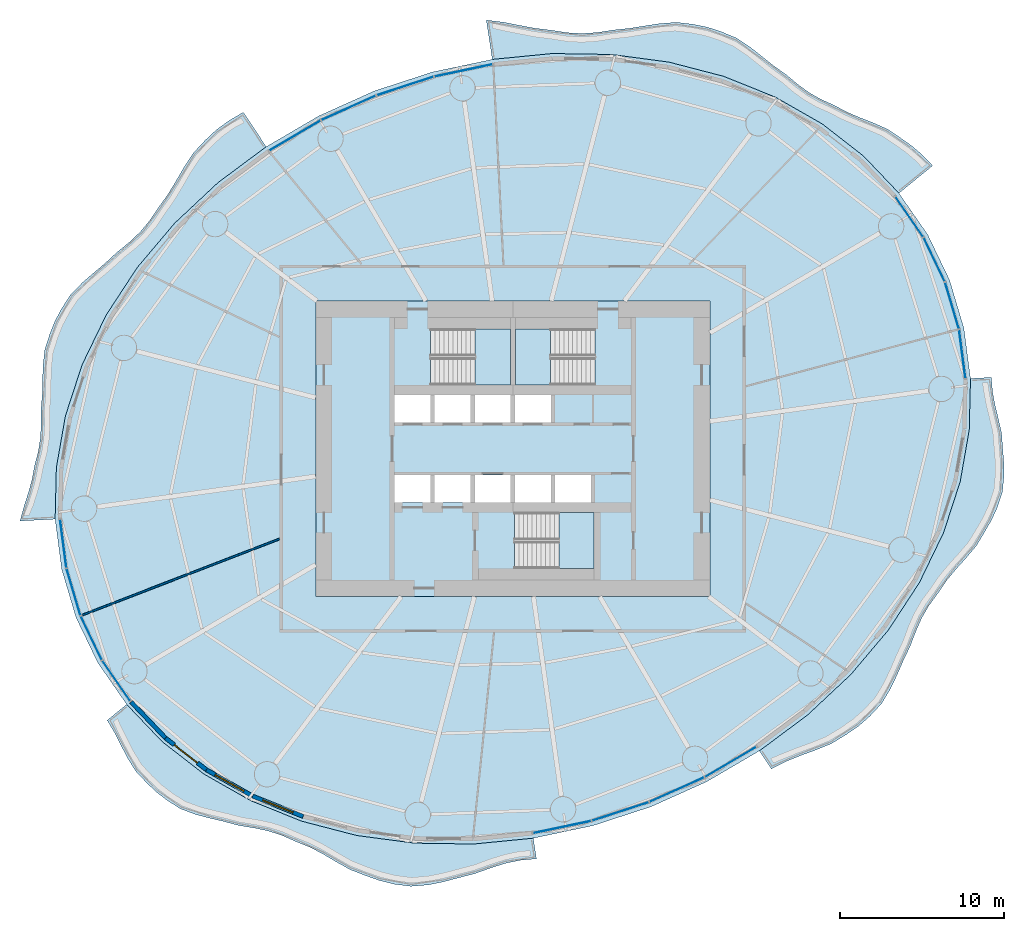
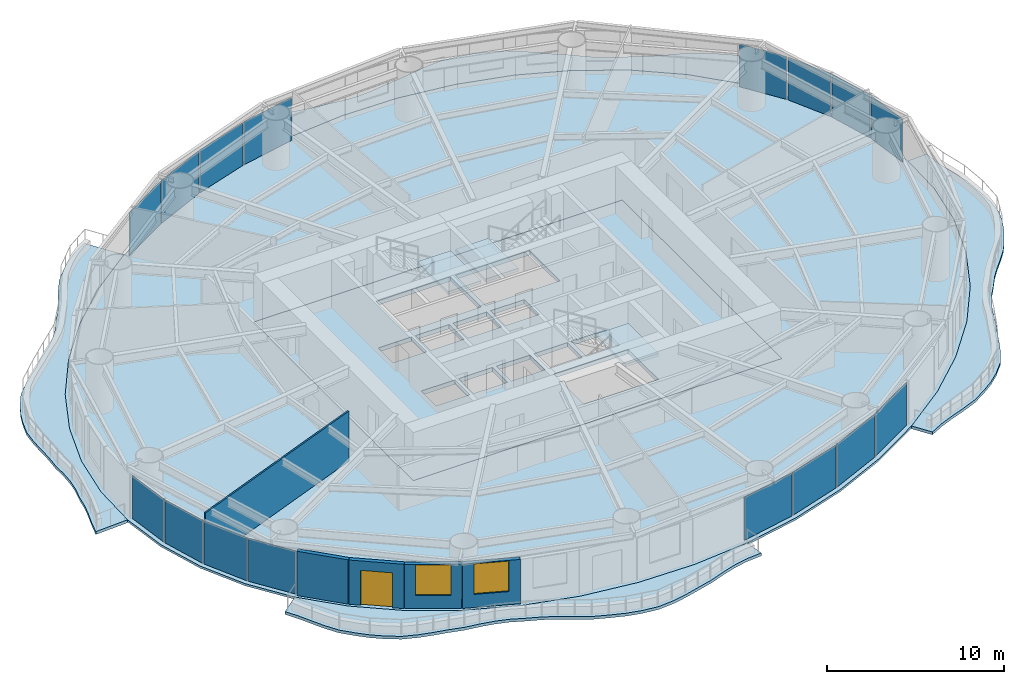
# One storey, part 7 of 14: 16 plates, 9 slabs, 5 walls, 2 windows, 1 door, 3 openings, 19 elements without a shape of their own.
"""IFC4 building model written with IfcOpenShell, lengths in metres."""

from ifc_helpers import new_model, si_unit, direction, frame, frame_2d, origin, origin_2d, place, context, subcontext, project, spatial, polyline, rectangle, outline, extrude, material, layer, layer_set, type_object, element, fill, aggregate, save


model = new_model("IFC4")

# Units and contexts
model_context = context("Model", 3, precision=1e-05, world=origin(), true_north=direction((0.0, 1.0)))
body_context = subcontext(model_context, "Body", "Model", "MODEL_VIEW")
ifc_project = project(units=[si_unit("LENGTHUNIT", "METRE"), si_unit("AREAUNIT", "SQUARE_METRE"), si_unit("VOLUMEUNIT", "CUBIC_METRE"), si_unit("PLANEANGLEUNIT", "RADIAN"), si_unit("MASSUNIT", "GRAM", prefix="KILO")], contexts=[model_context])

# Site, building, storey
site_placement = place(None, origin())
site = spatial("IfcSite", under=ifc_project, at=site_placement, CompositionType="ELEMENT")
building_placement = place(site_placement, origin())
building = spatial("IfcBuilding", under=site, at=building_placement, Name="Vermilion Reach Broadcast Tower", CompositionType="ELEMENT")
storey_placement = place(building_placement, frame((0.0, 0.0, 117.39990234375)))
storey = spatial("IfcBuildingStorey", under=building, at=storey_placement, Name="L27", CompositionType="ELEMENT", Elevation=117.39990234375)

# Slabs
ifc_material_1 = material(Name="Concrete C40/50", Category="concrete")
ifc_layer_1 = layer(ifc_material_1, 0.199951171875)
ifc_layer_set_1 = layer_set([ifc_layer_1], Name="Balcony slab 200")
slab_type_1 = type_object("IfcSlabType", Name="Balcony slab 200", PredefinedType="FLOOR", material=ifc_layer_set_1)
placement_1 = place(storey_placement, frame((0.0, 0.0, -0.199951171875)))
element("IfcSlab", 1, at=placement_1, inside=storey, type_object=slab_type_1, Name="Balcony slab L27 group 1", PredefinedType="FLOOR", context=body_context, shape_type="SweptSolid", body=[
    extrude(outline(polyline([(17.51416015625, 15.56591796875), (15.35302734375, 17.833984375), (12.826171875, 19.796630859375), (9.9775390625, 21.420654296875), (6.85546875, 22.677978515625), (3.51318359375, 23.547607421875), (0.00830078125, 24.01416015625), (-3.599365234375, 24.06982421875), (-7.248046875, 23.713623046875), (-7.6162109375, 26.11328125), (-6.54833984375, 25.978271484375), (-5.609375, 25.79345703125), (-4.671142578125, 25.61474609375), (-3.65771484375, 25.4921875), (-2.677490234375, 25.341552734375), (-1.776123046875, 25.29345703125), (-0.873046875, 25.352294921875), (0.11865234375, 25.50537109375), (1.1123046875, 25.608154296875), (2.023681640625, 25.755126953125), (2.93408203125, 25.89599609375), (3.98828125, 25.97314453125), (5.00439453125, 25.8505859375), (5.8515625, 25.67724609375), (6.673828125, 25.4091796875), (7.625732421875, 25.01318359375), (8.474853515625, 24.447021484375), (9.1630859375, 23.903076171875), (9.8486328125, 23.353271484375), (10.639892578125, 22.790283203125), (11.359619140625, 22.189697265625), (12.027099609375, 21.70556640625), (12.738037109375, 21.297119140625), (13.5751953125, 20.9169921875), (14.378662109375, 20.4912109375), (15.139404296875, 20.166748046875), (15.91796875, 19.865234375), (16.82568359375, 19.463134765625), (17.628173828125, 18.92041015625), (18.280517578125, 18.460205078125), (18.882568359375, 17.951904296875), (19.568359375, 17.240966796875), (17.51416015625, 15.56591796875)])), origin(), (0.0, 0.0, 1.0), 0.199951171875),
])
element("IfcSlab", 2, at=placement_1, inside=storey, type_object=slab_type_1, Name="Balcony slab L27 group 2", PredefinedType="FLOOR", context=body_context, shape_type="SweptSolid", body=[
    extrude(outline(polyline([(-21.01708984375, 18.39501953125), (-23.957763671875, 16.205810546875), (-26.59130859375, 13.739501953125), (-28.87255859375, 11.037841796875), (-30.76220703125, 8.1474609375), (-32.228515625, 5.11767578125), (-33.245849609375, 2.00048828125), (-33.796875, -1.151123046875), (-33.87255859375, -4.282958984375), (-36.010986328125, -4.39697265625), (-35.751220703125, -3.454345703125), (-35.50146484375, -2.677001953125), (-35.284423828125, -1.898681640625), (-35.12060546875, -1.020263671875), (-34.8955078125, -0.14697265625), (-34.770263671875, 0.64306640625), (-34.725830078125, 1.447265625), (-34.732666015625, 2.37109375), (-34.65576171875, 3.322998046875), (-34.63671875, 4.178955078125), (-34.612060546875, 5.033203125), (-34.5009765625, 6.033447265625), (-34.192626953125, 7.003173828125), (-33.8798828125, 7.78662109375), (-33.483154296875, 8.529296875), (-32.936767578125, 9.3779296875), (-32.208984375, 10.124755859375), (-31.5283203125, 10.71142578125), (-30.8369140625, 11.290771484375), (-30.11328125, 11.9619140625), (-29.3408203125, 12.59033203125), (-28.69580078125, 13.202392578125), (-28.1279296875, 13.8798828125), (-27.585205078125, 14.68359375), (-27.0009765625, 15.496337890625), (-26.515625, 16.2978515625), (-26.04443359375, 17.114013671875), (-25.462158203125, 18.00537109375), (-24.7373046875, 18.787841796875), (-24.063232421875, 19.417236328125), (-23.324462890625, 19.95947265625), (-22.41015625, 20.497802734375), (-21.01708984375, 18.39501953125)])), origin(), (0.0, 0.0, 1.0), 0.199951171875),
])
element("IfcSlab", 3, at=placement_1, inside=storey, type_object=slab_type_1, Name="Balcony slab L27 group 3", PredefinedType="FLOOR", context=body_context, shape_type="SweptSolid", body=[
    extrude(outline(polyline([(-29.51416015625, -15.56591796875), (-27.35302734375, -17.833984375), (-24.826171875, -19.796630859375), (-21.9775390625, -21.420654296875), (-18.85546875, -22.677978515625), (-15.51318359375, -23.547607421875), (-12.00830078125, -24.01416015625), (-8.400634765625, -24.06982421875), (-4.751953125, -23.713623046875), (-4.55908203125, -24.97021484375), (-5.541748046875, -25.055908203125), (-6.4443359375, -25.2431640625), (-7.337890625, -25.5234375), (-8.32666015625, -25.87646484375), (-9.334716796875, -26.134521484375), (-10.240478515625, -26.374755859375), (-11.1455078125, -26.55615234375), (-12.203125, -26.646728515625), (-13.232666015625, -26.512939453125), (-14.095947265625, -26.299072265625), (-14.94775390625, -25.999267578125), (-15.919921875, -25.623291015625), (-16.814453125, -25.1201171875), (-17.587646484375, -24.662841796875), (-18.373046875, -24.2529296875), (-19.25732421875, -23.896728515625), (-20.103515625, -23.52490234375), (-20.907958984375, -23.27001953125), (-21.744140625, -23.09375), (-22.7099609375, -22.934814453125), (-23.64111328125, -22.68359375), (-24.4755859375, -22.491943359375), (-25.29638671875, -22.2763671875), (-26.24755859375, -21.922607421875), (-27.075927734375, -21.388671875), (-27.7099609375, -20.901123046875), (-28.292724609375, -20.347412109375), (-28.97216796875, -19.62548828125), (-29.489013671875, -18.78759765625), (-29.8603515625, -18.059814453125), (-30.230224609375, -17.330078125), (-30.69921875, -16.5322265625), (-29.51416015625, -15.56591796875)])), origin(), (0.0, 0.0, 1.0), 0.199951171875),
])
element("IfcSlab", 4, at=placement_1, inside=storey, type_object=slab_type_1, Name="Balcony slab L27 group 4", PredefinedType="FLOOR", context=body_context, shape_type="SweptSolid", body=[
    extrude(outline(polyline([(9.01708984375, -18.39501953125), (11.957763671875, -16.205810546875), (14.59130859375, -13.739501953125), (16.87255859375, -11.037841796875), (18.76220703125, -8.1474609375), (20.228515625, -5.11767578125), (21.245849609375, -2.00048828125), (21.796875, 1.151123046875), (21.87255859375, 4.282958984375), (23.14453125, 4.350830078125), (23.218017578125, 3.46728515625), (23.36181640625, 2.68017578125), (23.55419921875, 1.892333984375), (23.767578125, 0.956298828125), (23.838623046875, -0.017822265625), (23.90380859375, -0.84130859375), (23.913330078125, -1.655029296875), (23.817138671875, -2.641357421875), (23.494873046875, -3.5966796875), (23.14892578125, -4.34619140625), (22.732421875, -5.072509765625), (22.220703125, -5.920654296875), (21.56201171875, -6.69775390625), (20.973876953125, -7.34814453125), (20.422607421875, -8.01611328125), (19.896484375, -8.7890625), (19.336181640625, -9.55419921875), (18.90380859375, -10.302978515625), (18.5478515625, -11.101806640625), (18.197021484375, -12.0244140625), (17.76025390625, -12.9443359375), (17.39306640625, -13.791259765625), (17.000732421875, -14.616943359375), (16.460205078125, -15.514404296875), (15.742919921875, -16.28857421875), (15.062744140625, -16.8818359375), (14.31298828125, -17.40087890625), (13.4140625, -17.947998046875), (12.416259765625, -18.356689453125), (11.5166015625, -18.6826171875), (10.637939453125, -19.03759765625), (9.74560546875, -19.49462890625), (9.01708984375, -18.39501953125)])), origin(), (0.0, 0.0, 1.0), 0.199951171875),
])
ifc_material_2 = material(Name="Concrete C40", Category="concrete")
ifc_layer_2 = layer(ifc_material_2, 0.300048828125)
ifc_layer_set_2 = layer_set([ifc_layer_2], Name="Core floor slab 300 mm Concrete C40")
slab_type_2 = type_object("IfcSlabType", Name="Core floor slab 300 mm Concrete C40", PredefinedType="FLOOR", material=ifc_layer_set_2)
slab_5_placement = place(storey_placement, frame((0.0, 0.0, -0.2998046875)))
element("IfcSlab", 5, at=slab_5_placement, inside=storey, type_object=slab_type_2, Name="L27 core floor", PredefinedType="FLOOR", context=body_context, shape_type="SweptSolid", body=[
    extrude(outline(polyline([(-18.0, -9.0), (6.0, -9.0), (6.0, 9.0), (-18.0, 9.0), (-18.0, -9.0)]), holes=[polyline([(-13.199951171875, 1.60009765625), (-11.00830078125, 1.60009765625), (-11.00830078125, 3.280029296875), (-13.199951171875, 3.280029296875), (-13.199951171875, 1.60009765625)]), polyline([(-10.75830078125, 1.60009765625), (-8.566650390625, 1.60009765625), (-8.566650390625, 3.280029296875), (-10.75830078125, 3.280029296875), (-10.75830078125, 1.60009765625)]), polyline([(-8.316650390625, 1.60009765625), (-6.125, 1.60009765625), (-6.125, 3.280029296875), (-8.316650390625, 3.280029296875), (-8.316650390625, 1.60009765625)]), polyline([(-5.875, 1.60009765625), (-3.683349609375, 1.60009765625), (-3.683349609375, 3.280029296875), (-5.875, 3.280029296875), (-5.875, 1.60009765625)]), polyline([(-13.199951171875, -3.280029296875), (-11.00830078125, -3.280029296875), (-11.00830078125, -1.60009765625), (-13.199951171875, -1.60009765625), (-13.199951171875, -3.280029296875)]), polyline([(-10.75830078125, -3.280029296875), (-8.566650390625, -3.280029296875), (-8.566650390625, -1.60009765625), (-10.75830078125, -1.60009765625), (-10.75830078125, -3.280029296875)]), polyline([(-8.316650390625, -3.280029296875), (-6.125, -3.280029296875), (-6.125, -1.60009765625), (-8.316650390625, -1.60009765625), (-8.316650390625, -3.280029296875)]), polyline([(-5.875, -3.280029296875), (-3.683349609375, -3.280029296875), (-3.683349609375, -1.60009765625), (-5.875, -1.60009765625), (-5.875, -3.280029296875)]), polyline([(-3.433349609375, -3.280029296875), (-1.24169921875, -3.280029296875), (-1.24169921875, -1.60009765625), (-3.433349609375, -1.60009765625), (-3.433349609375, -3.280029296875)]), polyline([(-10.999267578125, 3.8798828125), (-6.14990234375, 3.8798828125), (-6.14990234375, 7.300048828125), (-10.999267578125, 7.300048828125), (-10.999267578125, 3.8798828125)]), polyline([(-1.000732421875, 7.300048828125), (-5.85009765625, 7.300048828125), (-5.85009765625, 3.8798828125), (-1.000732421875, 3.8798828125), (-1.000732421875, 7.300048828125)]), polyline([(-5.8994140625, -7.300048828125), (-1.050048828125, -7.300048828125), (-1.050048828125, -3.8798828125), (-5.8994140625, -3.8798828125), (-5.8994140625, -7.300048828125)])]), origin(), (0.0, 0.0, 1.0), 0.2998046875),
])

# Stair, slab
ifc_material_3 = material(Name="Concrete C40", Category="concrete")
stair_type = type_object("IfcStairType", Name="Exit stair RC 22 risers 164 mm", PredefinedType="HALF_TURN_STAIR", material=ifc_material_3)
placement_2 = place(storey_placement, origin())
stair_1 = element("IfcStair", 6, at=placement_2, inside=storey, type_object=stair_type, Name="L27 Exit stair ST1", PredefinedType="HALF_TURN_STAIR")
ifc_material_4 = material(Name="Concrete C40", Category="concrete")
ifc_layer_3 = layer(ifc_material_4, 0.199951171875)
ifc_layer_set_3 = layer_set([ifc_layer_3], Name="Exit stair landing Concrete C40")
slab_type_3 = type_object("IfcSlabType", Name="Exit stair landing Concrete C40", PredefinedType="LANDING", material=ifc_layer_set_3)
placement_3 = place(storey_placement, frame((0.0, 0.0, 1.60009765625)))
slab_6 = element("IfcSlab", 7, at=placement_3, type_object=slab_type_3, Name="ST1 landing 1", PredefinedType="LANDING", context=body_context, shape_type="SweptSolid", body=[
    extrude(outline(polyline([(-8.300048828125, 3.8798828125), (-6.14990234375, 3.8798828125), (-6.14990234375, 7.300048828125), (-8.300048828125, 7.300048828125), (-8.300048828125, 3.8798828125)])), origin(), (0.0, 0.0, 1.0), 0.199951171875),
])
aggregate(stair_1, [slab_6])

stair_2 = element("IfcStair", 8, at=placement_2, inside=storey, type_object=stair_type, Name="L27 Exit stair ST2", PredefinedType="HALF_TURN_STAIR")
slab_7 = element("IfcSlab", 9, at=placement_3, type_object=slab_type_3, Name="ST2 landing 1", PredefinedType="LANDING", context=body_context, shape_type="SweptSolid", body=[
    extrude(outline(polyline([(-3.699951171875, 7.300048828125), (-5.85009765625, 7.300048828125), (-5.85009765625, 3.8798828125), (-3.699951171875, 3.8798828125), (-3.699951171875, 7.300048828125)])), origin(), (0.0, 0.0, 1.0), 0.199951171875),
])
aggregate(stair_2, [slab_7])

stair_3 = element("IfcStair", 10, at=placement_2, inside=storey, type_object=stair_type, Name="L27 Exit stair ST3", PredefinedType="HALF_TURN_STAIR")
slab_8 = element("IfcSlab", 11, at=placement_3, type_object=slab_type_3, Name="ST3 landing 1", PredefinedType="LANDING", context=body_context, shape_type="SweptSolid", body=[
    extrude(outline(polyline([(-3.199951171875, -7.300048828125), (-1.050048828125, -7.300048828125), (-1.050048828125, -3.8798828125), (-3.199951171875, -3.8798828125), (-3.199951171875, -7.300048828125)])), origin(), (0.0, 0.0, 1.0), 0.199951171875),
])
aggregate(stair_3, [slab_8])

# Slab
ifc_material_5 = material(Name="Concrete C40", Category="concrete")
ifc_layer_4 = layer(ifc_material_5, 0.14990234375)
ifc_layer_set_4 = layer_set([ifc_layer_4], Name="Floor slab Concrete C40 composite 150")
slab_type_4 = type_object("IfcSlabType", Name="Floor slab Concrete C40 composite 150", PredefinedType="FLOOR", material=ifc_layer_set_4)
slab_9_placement = place(storey_placement, frame((0.0, 0.0, -0.14990234375)))
element("IfcSlab", 12, at=slab_9_placement, inside=storey, type_object=slab_type_4, Name="Floor slab L27", PredefinedType="FLOOR", context=body_context, shape_type="SweptSolid", body=[
    extrude(outline(polyline([(20.599609375, 10.274658203125), (19.273193359375, 13.03173828125), (17.51416015625, 15.56591796875), (15.35302734375, 17.833984375), (12.826171875, 19.796630859375), (9.9775390625, 21.420654296875), (6.85546875, 22.677978515625), (3.51318359375, 23.547607421875), (0.00830078125, 24.01416015625), (-3.599365234375, 24.06982421875), (-7.248046875, 23.713623046875), (-10.87548828125, 22.95166015625), (-14.41943359375, 21.796875), (-17.8193359375, 20.269287109375), (-21.01708984375, 18.39501953125), (-23.957763671875, 16.205810546875), (-26.59130859375, 13.739501953125), (-28.87255859375, 11.037841796875), (-30.76220703125, 8.1474609375), (-32.228515625, 5.11767578125), (-33.245849609375, 2.00048828125), (-33.796875, -1.151123046875), (-33.87255859375, -4.282958984375), (-33.47119140625, -7.341552734375), (-32.599609375, -10.274658203125), (-31.273193359375, -13.03173828125), (-29.51416015625, -15.56591796875), (-27.35302734375, -17.833984375), (-24.826171875, -19.796630859375), (-21.9775390625, -21.420654296875), (-18.85546875, -22.677978515625), (-15.51318359375, -23.547607421875), (-12.00830078125, -24.01416015625), (-8.400634765625, -24.06982421875), (-4.751953125, -23.713623046875), (-1.12451171875, -22.95166015625), (2.41943359375, -21.796875), (5.8193359375, -20.269287109375), (9.01708984375, -18.39501953125), (11.957763671875, -16.205810546875), (14.59130859375, -13.739501953125), (16.87255859375, -11.037841796875), (18.76220703125, -8.1474609375), (20.228515625, -5.11767578125), (21.245849609375, -2.00048828125), (21.796875, 1.151123046875), (21.87255859375, 4.282958984375), (21.47119140625, 7.341552734375), (20.599609375, 10.274658203125)]), holes=[polyline([(-18.0, -9.0), (6.0, -9.0), (6.0, 9.0), (-18.0, 9.0), (-18.0, -9.0)])]), origin(), (0.0, 0.0, 1.0), 0.14990234375),
])

# Curtain wall, plate
ifc_material_6 = material(Name="Low-e laminated clear glass in aluminium frame", Category="aluminium")
curtain_wall_type = type_object("IfcCurtainWallType", Name="Slot curtain wall", PredefinedType="NOTDEFINED", material=ifc_material_6)
curtain_wall_1 = element("IfcCurtainWall", 13, at=placement_2, inside=storey, type_object=curtain_wall_type, Name="Slot curtain wall L27 46", PredefinedType="NOTDEFINED")
ifc_material_7 = material(Name="Low-e laminated clear glass", Category="glass")
ifc_layer_5 = layer(ifc_material_7, 0.028076171875)
ifc_layer_set_5 = layer_set([ifc_layer_5], Name="Slot glass panel")
plate_type = type_object("IfcPlateType", Name="Slot glass panel", PredefinedType="CURTAIN_PANEL", material=ifc_layer_set_5)
plate_1_placement = place(storey_placement, frame((21.375244140625, 5.773193359375, 0.0), z_axis=(0.0, 0.0, 1.0), x_axis=(-0.130101693135, 0.991500655291, 0.0)))
plate_1 = element("IfcPlate", 14, at=plate_1_placement, type_object=plate_type, Name="Slot glass panel L27 46", PredefinedType="CURTAIN_PANEL", context=body_context, shape_type="SweptSolid", body=[
    extrude(rectangle(XDim=2.957763671875, YDim=0.028076171875, at=origin_2d()), origin(), (0.0, 0.0, 1.0), 2.949951171875),
])
aggregate(curtain_wall_1, [plate_1])

curtain_wall_2 = element("IfcCurtainWall", 15, at=placement_2, inside=storey, type_object=curtain_wall_type, Name="Slot curtain wall L27 47", PredefinedType="NOTDEFINED")
plate_2_placement = place(storey_placement, frame((20.748779296875, 8.722900390625, 0.0), z_axis=(0.0, 0.0, 1.0), x_axis=(-0.284798092329, 0.958587526836, 0.0)))
plate_2 = element("IfcPlate", 16, at=plate_2_placement, type_object=plate_type, Name="Slot glass panel L27 47", PredefinedType="CURTAIN_PANEL", context=body_context, shape_type="SweptSolid", body=[
    extrude(rectangle(XDim=2.931884765625, YDim=0.028076171875, at=origin_2d()), origin(), (0.0, 0.0, 1.0), 2.949951171875),
])
aggregate(curtain_wall_2, [plate_2])

curtain_wall_3 = element("IfcCurtainWall", 17, at=placement_2, inside=storey, type_object=curtain_wall_type, Name="Slot curtain wall L27 00", PredefinedType="NOTDEFINED")
plate_3_placement = place(storey_placement, frame((19.6669921875, 11.523681640625, 0.0), z_axis=(0.0, 0.0, 1.0), x_axis=(-0.433552571253, 0.901128274975, 0.0)))
plate_3 = element("IfcPlate", 18, at=plate_3_placement, type_object=plate_type, Name="Slot glass panel L27 00", PredefinedType="CURTAIN_PANEL", context=body_context, shape_type="SweptSolid", body=[
    extrude(rectangle(XDim=2.931884765625, YDim=0.028076171875, at=origin_2d()), origin(), (0.0, 0.0, 1.0), 2.949951171875),
])
aggregate(curtain_wall_3, [plate_3])

curtain_wall_4 = element("IfcCurtainWall", 19, at=placement_2, inside=storey, type_object=curtain_wall_type, Name="Slot curtain wall L27 01", PredefinedType="NOTDEFINED")
plate_4_placement = place(storey_placement, frame((18.14794921875, 14.12841796875, 0.0), z_axis=(0.0, 0.0, 1.0), x_axis=(-0.57020505727, 0.82150239967, 0.0)))
plate_4 = element("IfcPlate", 20, at=plate_4_placement, type_object=plate_type, Name="Slot glass panel L27 01", PredefinedType="CURTAIN_PANEL", context=body_context, shape_type="SweptSolid", body=[
    extrude(rectangle(XDim=2.957763671875, YDim=0.028076171875, at=origin_2d()), origin(), (0.0, 0.0, 1.0), 2.949951171875),
])
aggregate(curtain_wall_4, [plate_4])

curtain_wall_5 = element("IfcCurtainWall", 21, at=placement_2, inside=storey, type_object=curtain_wall_type, Name="Slot curtain wall L27 10", PredefinedType="NOTDEFINED")
plate_5_placement = place(storey_placement, frame((-9.000244140625, 23.039306640625, 0.0), z_axis=(0.0, 0.0, 1.0), x_axis=(-0.97864385995, -0.205563117759, 0.0)))
plate_5 = element("IfcPlate", 22, at=plate_5_placement, type_object=plate_type, Name="Slot glass panel L27 10", PredefinedType="CURTAIN_PANEL", context=body_context, shape_type="SweptSolid", body=[
    extrude(rectangle(XDim=3.593994140625, YDim=0.028076171875, at=origin_2d()), origin(), (0.0, 0.0, 1.0), 2.949951171875),
])
aggregate(curtain_wall_5, [plate_5])

curtain_wall_6 = element("IfcCurtainWall", 23, at=placement_2, inside=storey, type_object=curtain_wall_type, Name="Slot curtain wall L27 11", PredefinedType="NOTDEFINED")
plate_6_placement = place(storey_placement, frame((-12.5546875, 22.08935546875, 0.0), z_axis=(0.0, 0.0, 1.0), x_axis=(-0.95080983606, -0.30977516952, 0.0)))
plate_6 = element("IfcPlate", 24, at=plate_6_placement, type_object=plate_type, Name="Slot glass panel L27 11", PredefinedType="CURTAIN_PANEL", context=body_context, shape_type="SweptSolid", body=[
    extrude(rectangle(XDim=3.614990234375, YDim=0.028076171875, at=origin_2d()), origin(), (0.0, 0.0, 1.0), 2.949951171875),
])
aggregate(curtain_wall_6, [plate_6])

curtain_wall_7 = element("IfcCurtainWall", 25, at=placement_2, inside=storey, type_object=curtain_wall_type, Name="Slot curtain wall L27 12", PredefinedType="NOTDEFINED")
plate_7_placement = place(storey_placement, frame((-15.99658203125, 20.760009765625, 0.0), z_axis=(0.0, 0.0, 1.0), x_axis=(-0.912160828442, -0.409832432899, 0.0)))
plate_7 = element("IfcPlate", 26, at=plate_7_placement, type_object=plate_type, Name="Slot glass panel L27 12", PredefinedType="CURTAIN_PANEL", context=body_context, shape_type="SweptSolid", body=[
    extrude(rectangle(XDim=3.615234375, YDim=0.028076171875, at=origin_2d()), origin(), (0.0, 0.0, 1.0), 2.949951171875),
])
aggregate(curtain_wall_7, [plate_7])

curtain_wall_8 = element("IfcCurtainWall", 27, at=placement_2, inside=storey, type_object=curtain_wall_type, Name="Slot curtain wall L27 13", PredefinedType="NOTDEFINED")
plate_8_placement = place(storey_placement, frame((-19.266845703125, 19.07373046875, 0.0), z_axis=(0.0, 0.0, 1.0), x_axis=(-0.862711834794, -0.505695847429, 0.0)))
plate_8 = element("IfcPlate", 28, at=plate_8_placement, type_object=plate_type, Name="Slot glass panel L27 13", PredefinedType="CURTAIN_PANEL", context=body_context, shape_type="SweptSolid", body=[
    extrude(rectangle(XDim=3.593994140625, YDim=0.028076171875, at=origin_2d()), origin(), (0.0, 0.0, 1.0), 2.949951171875),
])
aggregate(curtain_wall_8, [plate_8])

curtain_wall_9 = element("IfcCurtainWall", 29, at=placement_2, inside=storey, type_object=curtain_wall_type, Name="Slot curtain wall L27 22", PredefinedType="NOTDEFINED")
plate_9_placement = place(storey_placement, frame((-33.375244140625, -5.773193359375, 0.0), z_axis=(0.0, 0.0, 1.0), x_axis=(0.130101693135, -0.991500655291, 0.0)))
plate_9 = element("IfcPlate", 30, at=plate_9_placement, type_object=plate_type, Name="Slot glass panel L27 22", PredefinedType="CURTAIN_PANEL", context=body_context, shape_type="SweptSolid", body=[
    extrude(rectangle(XDim=2.957763671875, YDim=0.028076171875, at=origin_2d()), origin(), (0.0, 0.0, 1.0), 2.949951171875),
])
aggregate(curtain_wall_9, [plate_9])

curtain_wall_10 = element("IfcCurtainWall", 31, at=placement_2, inside=storey, type_object=curtain_wall_type, Name="Slot curtain wall L27 23", PredefinedType="NOTDEFINED")
plate_10_placement = place(storey_placement, frame((-32.748779296875, -8.722900390625, 0.0), z_axis=(0.0, 0.0, 1.0), x_axis=(0.284798092329, -0.958587526836, 0.0)))
plate_10 = element("IfcPlate", 32, at=plate_10_placement, type_object=plate_type, Name="Slot glass panel L27 23", PredefinedType="CURTAIN_PANEL", context=body_context, shape_type="SweptSolid", body=[
    extrude(rectangle(XDim=2.931884765625, YDim=0.028076171875, at=origin_2d()), origin(), (0.0, 0.0, 1.0), 2.949951171875),
])
aggregate(curtain_wall_10, [plate_10])

curtain_wall_11 = element("IfcCurtainWall", 33, at=placement_2, inside=storey, type_object=curtain_wall_type, Name="Slot curtain wall L27 24", PredefinedType="NOTDEFINED")
plate_11_placement = place(storey_placement, frame((-31.6669921875, -11.523681640625, 0.0), z_axis=(0.0, 0.0, 1.0), x_axis=(0.433552571253, -0.901128274975, 0.0)))
plate_11 = element("IfcPlate", 34, at=plate_11_placement, type_object=plate_type, Name="Slot glass panel L27 24", PredefinedType="CURTAIN_PANEL", context=body_context, shape_type="SweptSolid", body=[
    extrude(rectangle(XDim=2.931884765625, YDim=0.028076171875, at=origin_2d()), origin(), (0.0, 0.0, 1.0), 2.949951171875),
])
aggregate(curtain_wall_11, [plate_11])

curtain_wall_12 = element("IfcCurtainWall", 35, at=placement_2, inside=storey, type_object=curtain_wall_type, Name="Slot curtain wall L27 25", PredefinedType="NOTDEFINED")
plate_12_placement = place(storey_placement, frame((-30.14794921875, -14.12841796875, 0.0), z_axis=(0.0, 0.0, 1.0), x_axis=(0.57020505727, -0.82150239967, 0.0)))
plate_12 = element("IfcPlate", 36, at=plate_12_placement, type_object=plate_type, Name="Slot glass panel L27 25", PredefinedType="CURTAIN_PANEL", context=body_context, shape_type="SweptSolid", body=[
    extrude(rectangle(XDim=2.957763671875, YDim=0.028076171875, at=origin_2d()), origin(), (0.0, 0.0, 1.0), 2.949951171875),
])
aggregate(curtain_wall_12, [plate_12])

curtain_wall_13 = element("IfcCurtainWall", 37, at=placement_2, inside=storey, type_object=curtain_wall_type, Name="Slot curtain wall L27 34", PredefinedType="NOTDEFINED")
plate_13_placement = place(storey_placement, frame((-2.999755859375, -23.039306640625, 0.0), z_axis=(0.0, 0.0, 1.0), x_axis=(0.97864385995, 0.205563117759, 0.0)))
plate_13 = element("IfcPlate", 38, at=plate_13_placement, type_object=plate_type, Name="Slot glass panel L27 34", PredefinedType="CURTAIN_PANEL", context=body_context, shape_type="SweptSolid", body=[
    extrude(rectangle(XDim=3.593994140625, YDim=0.028076171875, at=origin_2d()), origin(), (0.0, 0.0, 1.0), 2.949951171875),
])
aggregate(curtain_wall_13, [plate_13])

curtain_wall_14 = element("IfcCurtainWall", 39, at=placement_2, inside=storey, type_object=curtain_wall_type, Name="Slot curtain wall L27 35", PredefinedType="NOTDEFINED")
plate_14_placement = place(storey_placement, frame((0.5546875, -22.08935546875, 0.0), z_axis=(0.0, 0.0, 1.0), x_axis=(0.95080983606, 0.30977516952, 0.0)))
plate_14 = element("IfcPlate", 40, at=plate_14_placement, type_object=plate_type, Name="Slot glass panel L27 35", PredefinedType="CURTAIN_PANEL", context=body_context, shape_type="SweptSolid", body=[
    extrude(rectangle(XDim=3.614990234375, YDim=0.028076171875, at=origin_2d()), origin(), (0.0, 0.0, 1.0), 2.949951171875),
])
aggregate(curtain_wall_14, [plate_14])

curtain_wall_15 = element("IfcCurtainWall", 41, at=placement_2, inside=storey, type_object=curtain_wall_type, Name="Slot curtain wall L27 36", PredefinedType="NOTDEFINED")
plate_15_placement = place(storey_placement, frame((3.99658203125, -20.760009765625, 0.0), z_axis=(0.0, 0.0, 1.0), x_axis=(0.912160828442, 0.409832432899, 0.0)))
plate_15 = element("IfcPlate", 42, at=plate_15_placement, type_object=plate_type, Name="Slot glass panel L27 36", PredefinedType="CURTAIN_PANEL", context=body_context, shape_type="SweptSolid", body=[
    extrude(rectangle(XDim=3.615234375, YDim=0.028076171875, at=origin_2d()), origin(), (0.0, 0.0, 1.0), 2.949951171875),
])
aggregate(curtain_wall_15, [plate_15])

curtain_wall_16 = element("IfcCurtainWall", 43, at=placement_2, inside=storey, type_object=curtain_wall_type, Name="Slot curtain wall L27 37", PredefinedType="NOTDEFINED")
plate_16_placement = place(storey_placement, frame((7.266845703125, -19.07373046875, 0.0), z_axis=(0.0, 0.0, 1.0), x_axis=(0.862711834794, 0.505695847429, 0.0)))
plate_16 = element("IfcPlate", 44, at=plate_16_placement, type_object=plate_type, Name="Slot glass panel L27 37", PredefinedType="CURTAIN_PANEL", context=body_context, shape_type="SweptSolid", body=[
    extrude(rectangle(XDim=3.593994140625, YDim=0.028076171875, at=origin_2d()), origin(), (0.0, 0.0, 1.0), 2.949951171875),
])
aggregate(curtain_wall_16, [plate_16])

# Walls
ifc_material_8 = material(Name="Plasterboard on steel stud", Category="steel")
ifc_layer_6 = layer(ifc_material_8, 0.10009765625)
ifc_layer_set_6 = layer_set([ifc_layer_6], Name="Partition 100 steel stud")
wall_type_1 = type_object("IfcWallType", Name="Partition 100 steel stud", PredefinedType="PARTITIONING", material=ifc_layer_set_6)
wall_1_placement = place(storey_placement, frame((-32.203369140625, -10.12158203125, 0.0), z_axis=(0.0, 0.0, 1.0), x_axis=(0.932826006306, 0.360327131866, 0.0)))
element("IfcWall", 45, at=wall_1_placement, inside=storey, type_object=wall_type_1, Name="Partition 27.05", PredefinedType="PARTITIONING", context=body_context, shape_type="SweptSolid", body=[
    extrude(rectangle(XDim=12.848388671875, YDim=0.10009765625, at=frame_2d((6.42431640625, 0.0))), origin(), (0.0, 0.0, 1.0), 3.4501953125),
])
ifc_material_9 = material(Name="Terracotta rainscreen cladding", Category="masonry")
ifc_layer_7 = layer(ifc_material_9, 0.25)
ifc_layer_set_7 = layer_set([ifc_layer_7], Name="Terracotta rainscreen wall 250")
wall_type_2 = type_object("IfcWallType", Name="Terracotta rainscreen wall 250", PredefinedType="SOLIDWALL", material=ifc_layer_set_7)
wall_2_placement = place(storey_placement, frame((-29.243896484375, -15.416015625, 0.0), z_axis=(0.0, 0.0, 1.0), x_axis=(0.689879279413, -0.723924429645, 0.0)))
element("IfcWall", 46, at=wall_2_placement, inside=storey, type_object=wall_type_2, Name="External wall L27 26", PredefinedType="SOLIDWALL", context=body_context, shape_type="SweptSolid", body=[
    extrude(rectangle(XDim=3.01904296875, YDim=0.25, at=frame_2d((1.509521484375, 0.0))), origin(), (0.0, 0.0, 1.0), 3.050048828125),
])

# Wall, opening, door
wall_3_placement = place(storey_placement, frame((-27.141357421875, -17.619384765625, 0.0), z_axis=(0.0, 0.0, 1.0), x_axis=(0.789746930571, -0.613432788213, 0.0)))
wall_3 = element("IfcWall", 47, at=wall_3_placement, inside=storey, type_object=wall_type_2, Name="External wall L27 27", PredefinedType="SOLIDWALL", context=body_context, shape_type="SweptSolid", body=[
    extrude(rectangle(XDim=3.12939453125, YDim=0.25, at=frame_2d((1.564697265625, 0.0))), origin(), (0.0, 0.0, 1.0), 3.050048828125),
])
opening_1_placement = place(wall_3_placement, frame((0.6650390625, 0.0, 0.0)))
opening_1 = element("IfcOpeningElement", 48, at=opening_1_placement, cuts=wall_3, Name="Opening D70", PredefinedType="OPENING", context=body_context, shape_type="SweptSolid", body=[
    extrude(rectangle(XDim=1.800048828125, YDim=2.39990234375, at=frame_2d((0.89990234375, 1.199951171875))), frame((0.0, 0.135009765625, 0.0), z_axis=(0.0, -1.0, 0.0), x_axis=(1.0, 0.0, 0.0)), (0.0, 0.0, 1.0), 0.27001953125),
])
ifc_material_10 = material(Name="Low-e laminated clear glass in aluminium frame", Category="aluminium")
door_type = type_object("IfcDoorType", Name="Balcony sliding door 1800 x 2400", OperationType="DOUBLE_DOOR_SLIDING", PredefinedType="DOOR", material=ifc_material_10)
door_placement = place(opening_1_placement, origin())
door = element("IfcDoor", 49, at=door_placement, inside=storey, type_object=door_type, Name="Balcony door L27 run 07", OperationType="DOUBLE_DOOR_SLIDING", OverallHeight=2.39990234375, OverallWidth=1.800048828125, PredefinedType="DOOR", context=body_context, shape_type="SweptSolid", body=[
    extrude(rectangle(XDim=1.800048828125, YDim=2.39990234375, at=frame_2d((0.89990234375, 1.199951171875))), frame((0.0, 0.02490234375, 0.0), z_axis=(0.0, -1.0, 0.0), x_axis=(1.0, 0.0, 0.0)), (0.0, 0.0, 1.0), 0.050048828125),
])
fill(opening_1, door)

# Wall, opening, window
wall_4_placement = place(storey_placement, frame((-24.6484375, -19.553466796875, 0.0), z_axis=(0.0, 0.0, 1.0), x_axis=(0.868747839234, -0.495254673705, 0.0)))
wall_4 = element("IfcWall", 50, at=wall_4_placement, inside=storey, type_object=wall_type_2, Name="External wall L27 28", PredefinedType="SOLIDWALL", context=body_context, shape_type="SweptSolid", body=[
    extrude(rectangle(XDim=3.212158203125, YDim=0.25, at=frame_2d((1.60595703125, 0.0))), origin(), (0.0, 0.0, 1.0), 3.050048828125),
])
opening_2_placement = place(wall_4_placement, frame((0.606201171875, 0.0, 0.89990234375)))
opening_2 = element("IfcOpeningElement", 51, at=opening_2_placement, cuts=wall_4, Name="Opening W03", PredefinedType="OPENING", context=body_context, shape_type="SweptSolid", body=[
    extrude(rectangle(XDim=2.0, YDim=2.10009765625, at=frame_2d((1.0, 1.050048828125))), frame((0.0, 0.135009765625, 0.0), z_axis=(0.0, -1.0, 0.0), x_axis=(1.0, 0.0, 0.0)), (0.0, 0.0, 1.0), 0.27001953125),
])
ifc_material_11 = material(Name="Low-e laminated clear glass in aluminium frame", Category="aluminium")
window_type = type_object("IfcWindowType", Name="Punched window 2000 x 2100 sill 900", PartitioningType="SINGLE_PANEL", PredefinedType="WINDOW", material=ifc_material_11)
window_1_placement = place(opening_2_placement, origin())
window_1 = element("IfcWindow", 52, at=window_1_placement, inside=storey, type_object=window_type, Name="Window L27 28", OverallHeight=2.10009765625, OverallWidth=2.0, PartitioningType="SINGLE_PANEL", PredefinedType="WINDOW", context=body_context, shape_type="SweptSolid", body=[
    extrude(rectangle(XDim=2.0, YDim=2.10009765625, at=frame_2d((1.0, 1.050048828125))), frame((0.0, 0.030029296875, 0.0), z_axis=(0.0, -1.0, 0.0), x_axis=(1.0, 0.0, 0.0)), (0.0, 0.0, 1.0), 0.06005859375),
])
fill(opening_2, window_1)

wall_5_placement = place(storey_placement, frame((-21.83544921875, -21.155029296875, 0.0), z_axis=(0.0, 0.0, 1.0), x_axis=(0.927581627116, -0.373620562919, 0.0)))
wall_5 = element("IfcWall", 53, at=wall_5_placement, inside=storey, type_object=wall_type_2, Name="External wall L27 29", PredefinedType="SOLIDWALL", context=body_context, shape_type="SweptSolid", body=[
    extrude(rectangle(XDim=3.3017578125, YDim=0.25, at=frame_2d((1.65087890625, 0.0))), origin(), (0.0, 0.0, 1.0), 3.050048828125),
])
opening_3_placement = place(wall_5_placement, frame((0.65087890625, 0.0, 0.89990234375)))
opening_3 = element("IfcOpeningElement", 54, at=opening_3_placement, cuts=wall_5, Name="Opening W03", PredefinedType="OPENING", context=body_context, shape_type="SweptSolid", body=[
    extrude(rectangle(XDim=2.0, YDim=2.10009765625, at=frame_2d((1.0, 1.050048828125))), frame((0.0, 0.135009765625, 0.0), z_axis=(0.0, -1.0, 0.0), x_axis=(1.0, 0.0, 0.0)), (0.0, 0.0, 1.0), 0.27001953125),
])
window_2_placement = place(opening_3_placement, origin())
window_2 = element("IfcWindow", 55, at=window_2_placement, inside=storey, type_object=window_type, Name="Window L27 29", OverallHeight=2.10009765625, OverallWidth=2.0, PartitioningType="SINGLE_PANEL", PredefinedType="WINDOW", context=body_context, shape_type="SweptSolid", body=[
    extrude(rectangle(XDim=2.0, YDim=2.10009765625, at=frame_2d((1.0, 1.050048828125))), frame((0.0, 0.030029296875, 0.0), z_axis=(0.0, -1.0, 0.0), x_axis=(1.0, 0.0, 0.0)), (0.0, 0.0, 1.0), 0.06005859375),
])
fill(opening_3, window_2)

save(model, "model.ifc")
